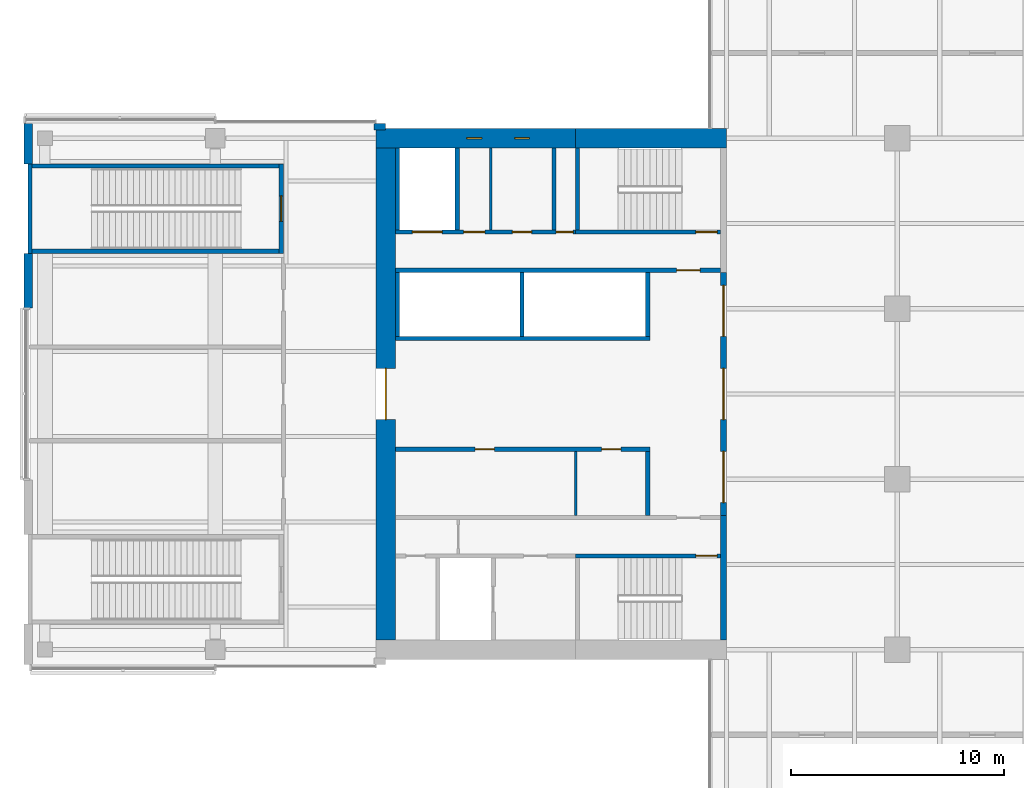
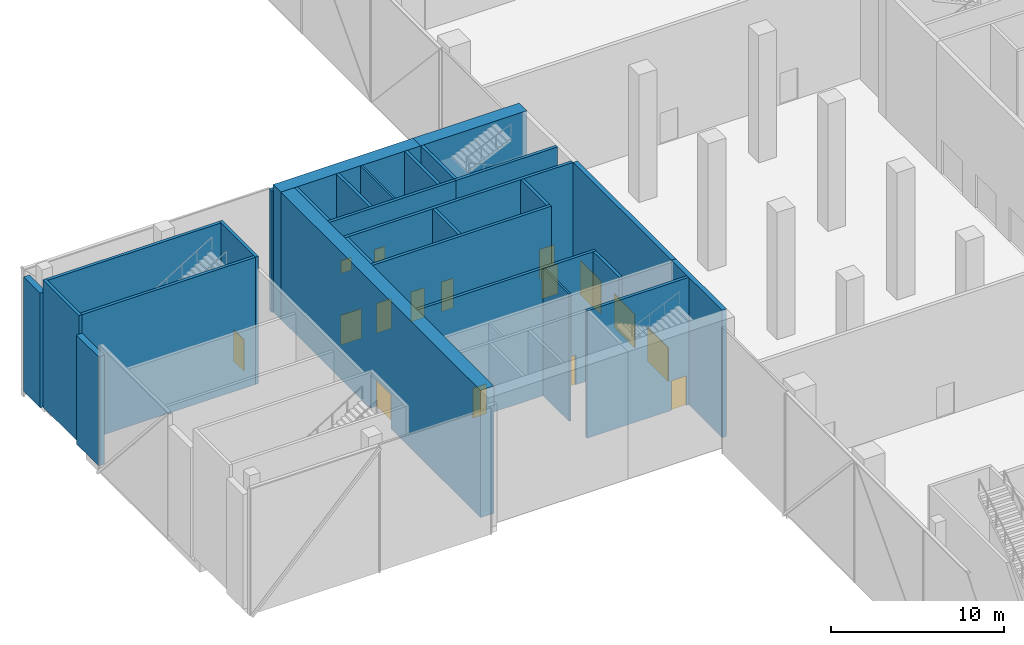
# One storey, part 15 of 26: 28 walls, 14 doors, 2 windows, 16 openings.
"""IFC4 building model written with IfcOpenShell, lengths in metres."""

from ifc_helpers import new_model, si_unit, direction, frame, frame_2d, origin, place, context, subcontext, project, spatial, rectangle, extrude, material, layer, layer_set, constituent, constituent_set, type_object, element, fill, save


model = new_model("IFC4")

# Units and contexts
model_context = context("Model", 3, precision=1e-05, world=origin(), true_north=direction((0.0, 1.0)))
body_context = subcontext(model_context, "Body", "Model", "MODEL_VIEW")
ifc_project = project(units=[si_unit("LENGTHUNIT", "METRE"), si_unit("AREAUNIT", "SQUARE_METRE"), si_unit("VOLUMEUNIT", "CUBIC_METRE"), si_unit("PLANEANGLEUNIT", "RADIAN"), si_unit("MASSUNIT", "GRAM", prefix="KILO")], contexts=[model_context])

# Site, building, storey
site_placement = place(None, origin())
site = spatial("IfcSite", under=ifc_project, at=site_placement, CompositionType="ELEMENT")
building_placement = place(site_placement, origin())
building = spatial("IfcBuilding", under=site, at=building_placement, Name="Crosswind Convention Tower", CompositionType="ELEMENT")
storey_placement = place(building_placement, frame((0.0, 0.0, 25.0)))
storey = spatial("IfcBuildingStorey", under=building, at=storey_placement, Name="L03", CompositionType="ELEMENT", Elevation=25.0)

# Wall
ifc_material_1 = material(Name="Concrete blockwork", Category="masonry")
ifc_layer_1 = layer(ifc_material_1, 0.199951171875)
ifc_layer_set_1 = layer_set([ifc_layer_1], Name="Blockwork partition wall 200")
wall_type_1 = type_object("IfcWallType", Name="Blockwork partition wall 200", PredefinedType="PARTITIONING", material=ifc_layer_set_1)
wall_1_placement = place(storey_placement, frame((104.89990234375, 111.550048828125, 0.0), z_axis=(0.0, 0.0, 1.0), x_axis=(0.0, -1.0, 0.0)))
element("IfcWall", 1, at=wall_1_placement, inside=storey, type_object=wall_type_1, Name="Wall MRSE W L03", PredefinedType="PARTITIONING", context=body_context, shape_type="SweptSolid", body=[
    extrude(rectangle(XDim=3.85009765625, YDim=0.199951171875, at=frame_2d((1.925048828125, 0.0))), origin(), (0.0, 0.0, 1.0), 9.0),
])

# Wall, opening, door
ifc_material_2 = material(Name="Concrete C60/75", Category="concrete")
ifc_layer_2 = layer(ifc_material_2, 0.89990234375)
ifc_layer_set_2 = layer_set([ifc_layer_2], Name="Concrete C60/75")
wall_type_2 = type_object("IfcWallType", Name="Concrete core wall 900", PredefinedType="SHEAR", material=ifc_layer_set_2)
wall_2_placement = place(storey_placement, frame((97.0, 111.550048828125, 0.0), z_axis=(0.0, 0.0, 1.0), x_axis=(0.0, -1.0, 0.0)))
wall_2 = element("IfcWall", 2, at=wall_2_placement, inside=storey, type_object=wall_type_2, Name="Wall O W L03", PredefinedType="SHEAR", context=body_context, shape_type="SweptSolid", body=[
    extrude(rectangle(XDim=23.10009765625, YDim=0.89990234375, at=frame_2d((11.550048828125, 0.0))), origin(), (0.0, 0.0, 1.0), 9.0),
])
opening_1_placement = place(wall_2_placement, frame((10.35009765625, 0.0, 0.0)))
opening_1 = element("IfcOpeningElement", 3, at=opening_1_placement, cuts=wall_2, Name="Opening D100", PredefinedType="OPENING", context=body_context, shape_type="SweptSolid", body=[
    extrude(rectangle(XDim=2.39990234375, YDim=2.39990234375, at=frame_2d((1.199951171875, 1.199951171875))), frame((0.0, 0.4599609375, 0.0), z_axis=(0.0, -1.0, 0.0), x_axis=(1.0, 0.0, 0.0)), (0.0, 0.0, 1.0), 0.919921875),
])
ifc_material_3 = material(Name="Steel fire door with glazed vision panels", Category="steel")
door_type_1 = type_object("IfcDoorType", Name="Fire-rated double door 2400x2400", OperationType="DOUBLE_DOOR_SINGLE_SWING", PredefinedType="DOOR", material=ifc_material_3)
door_1_placement = place(opening_1_placement, frame((2.39990234375, 0.0, 0.0), z_axis=(0.0, 0.0, 1.0), x_axis=(-1.0, 0.0, 0.0)))
door_1 = element("IfcDoor", 4, at=door_1_placement, inside=storey, type_object=door_type_1, Name="Lobby outer door L03", ObjectType="D100", OperationType="DOUBLE_DOOR_SINGLE_SWING", OverallHeight=2.39990234375, OverallWidth=2.39990234375, PredefinedType="DOOR", context=body_context, shape_type="SweptSolid", body=[
    extrude(rectangle(XDim=2.39990234375, YDim=2.39990234375, at=frame_2d((1.199951171875, 1.199951171875))), frame((0.0, 0.02490234375, 0.0), z_axis=(0.0, -1.0, 0.0), x_axis=(1.0, 0.0, 0.0)), (0.0, 0.0, 1.0), 0.050048828125),
])
fill(opening_1, door_1)

# Wall, openings, doors
ifc_material_4 = material(Name="Concrete C50/60", Category="concrete")
ifc_layer_3 = layer(ifc_material_4, 0.300048828125)
ifc_layer_set_3 = layer_set([ifc_layer_3], Name="Concrete C50/60")
wall_type_3 = type_object("IfcWallType", Name="Concrete inner core wall 300", PredefinedType="SHEAR", material=ifc_layer_set_3)
wall_3_placement = place(storey_placement, frame((112.85009765625, 105.699951171875, 0.0), z_axis=(0.0, 0.0, 1.0), x_axis=(0.0, -1.0, 0.0)))
wall_3 = element("IfcWall", 5, at=wall_3_placement, inside=storey, type_object=wall_type_3, Name="Wall SCR W L03", PredefinedType="SHEAR", context=body_context, shape_type="SweptSolid", body=[
    extrude(rectangle(XDim=11.39990234375, YDim=0.300048828125, at=frame_2d((5.699951171875, 0.0))), origin(), (0.0, 0.0, 1.0), 9.0),
])
opening_2_placement = place(wall_3_placement, frame((0.60009765625, 0.0, 0.0)))
opening_2 = element("IfcOpeningElement", 6, at=opening_2_placement, cuts=wall_3, Name="Opening D100", PredefinedType="OPENING", context=body_context, shape_type="SweptSolid", body=[
    extrude(rectangle(XDim=2.39990234375, YDim=2.39990234375, at=frame_2d((1.199951171875, 1.199951171875))), frame((0.0, 0.159912109375, 0.0), z_axis=(0.0, -1.0, 0.0), x_axis=(1.0, 0.0, 0.0)), (0.0, 0.0, 1.0), 0.320068359375),
])
opening_3_placement = place(wall_3_placement, frame((4.5, 0.0, 0.0)))
opening_3 = element("IfcOpeningElement", 7, at=opening_3_placement, cuts=wall_3, Name="Opening D100", PredefinedType="OPENING", context=body_context, shape_type="SweptSolid", body=[
    extrude(rectangle(XDim=2.39990234375, YDim=2.39990234375, at=frame_2d((1.199951171875, 1.199951171875))), frame((0.0, 0.159912109375, 0.0), z_axis=(0.0, -1.0, 0.0), x_axis=(1.0, 0.0, 0.0)), (0.0, 0.0, 1.0), 0.320068359375),
])
opening_4_placement = place(wall_3_placement, frame((8.39990234375, 0.0, 0.0)))
opening_4 = element("IfcOpeningElement", 8, at=opening_4_placement, cuts=wall_3, Name="Opening D100", PredefinedType="OPENING", context=body_context, shape_type="SweptSolid", body=[
    extrude(rectangle(XDim=2.39990234375, YDim=2.39990234375, at=frame_2d((1.199951171875, 1.199951171875))), frame((0.0, 0.159912109375, 0.0), z_axis=(0.0, -1.0, 0.0), x_axis=(1.0, 0.0, 0.0)), (0.0, 0.0, 1.0), 0.320068359375),
])
door_2_placement = place(opening_2_placement, frame((2.39990234375, 0.0, 0.0), z_axis=(0.0, 0.0, 1.0), x_axis=(-1.0, 0.0, 0.0)))
door_2 = element("IfcDoor", 9, at=door_2_placement, inside=storey, type_object=door_type_1, Name="Lobby door 1 L03", ObjectType="D100", OperationType="DOUBLE_DOOR_SINGLE_SWING", OverallHeight=2.39990234375, OverallWidth=2.39990234375, PredefinedType="DOOR", context=body_context, shape_type="SweptSolid", body=[
    extrude(rectangle(XDim=2.39990234375, YDim=2.39990234375, at=frame_2d((1.199951171875, 1.199951171875))), frame((0.0, 0.02490234375, 0.0), z_axis=(0.0, -1.0, 0.0), x_axis=(1.0, 0.0, 0.0)), (0.0, 0.0, 1.0), 0.050048828125),
])
fill(opening_2, door_2)
door_3_placement = place(opening_3_placement, frame((2.39990234375, 0.0, 0.0), z_axis=(0.0, 0.0, 1.0), x_axis=(-1.0, 0.0, 0.0)))
door_3 = element("IfcDoor", 10, at=door_3_placement, inside=storey, type_object=door_type_1, Name="Lobby door 2 L03", ObjectType="D100", OperationType="DOUBLE_DOOR_SINGLE_SWING", OverallHeight=2.39990234375, OverallWidth=2.39990234375, PredefinedType="DOOR", context=body_context, shape_type="SweptSolid", body=[
    extrude(rectangle(XDim=2.39990234375, YDim=2.39990234375, at=frame_2d((1.199951171875, 1.199951171875))), frame((0.0, 0.02490234375, 0.0), z_axis=(0.0, -1.0, 0.0), x_axis=(1.0, 0.0, 0.0)), (0.0, 0.0, 1.0), 0.050048828125),
])
fill(opening_3, door_3)
door_4_placement = place(opening_4_placement, frame((2.39990234375, 0.0, 0.0), z_axis=(0.0, 0.0, 1.0), x_axis=(-1.0, 0.0, 0.0)))
door_4 = element("IfcDoor", 11, at=door_4_placement, inside=storey, type_object=door_type_1, Name="Lobby door 3 L03", ObjectType="D100", OperationType="DOUBLE_DOOR_SINGLE_SWING", OverallHeight=2.39990234375, OverallWidth=2.39990234375, PredefinedType="DOOR", context=body_context, shape_type="SweptSolid", body=[
    extrude(rectangle(XDim=2.39990234375, YDim=2.39990234375, at=frame_2d((1.199951171875, 1.199951171875))), frame((0.0, 0.02490234375, 0.0), z_axis=(0.0, -1.0, 0.0), x_axis=(1.0, 0.0, 0.0)), (0.0, 0.0, 1.0), 0.050048828125),
])
fill(opening_4, door_4)

# Walls
wall_4_placement = place(storey_placement, frame((112.85009765625, 94.300048828125, 0.0), z_axis=(0.0, 0.0, 1.0), x_axis=(0.0, -1.0, 0.0)))
element("IfcWall", 12, at=wall_4_placement, inside=storey, type_object=wall_type_3, Name="Wall EP W L03", PredefinedType="SHEAR", context=body_context, shape_type="SweptSolid", body=[
    extrude(rectangle(XDim=5.85009765625, YDim=0.300048828125, at=frame_2d((2.925048828125, 0.0))), origin(), (0.0, 0.0, 1.0), 9.0),
])
ifc_layer_4 = layer(ifc_material_4, 0.199951171875)
ifc_layer_set_4 = layer_set([ifc_layer_4], Name="Concrete C50/60")
wall_type_4 = type_object("IfcWallType", Name="Concrete shaft and stair wall 200", PredefinedType="SHEAR", material=ifc_layer_set_4)
wall_5_placement = place(storey_placement, frame((109.300048828125, 97.300048828125, 0.0), z_axis=(0.0, 0.0, 1.0), x_axis=(0.0, -1.0, 0.0)))
element("IfcWall", 13, at=wall_5_placement, inside=storey, type_object=wall_type_4, Name="Wall RPEND W L03", PredefinedType="SHEAR", context=body_context, shape_type="SweptSolid", body=[
    extrude(rectangle(XDim=3.0, YDim=0.199951171875, at=frame_2d((1.5, 0.0))), origin(), (0.0, 0.0, 1.0), 9.0),
])

# Wall, openings, doors
wall_6_placement = place(storey_placement, frame((109.39990234375, 97.39990234375, 0.0), z_axis=(0.0, 0.0, 1.0), x_axis=(-1.0, 0.0, 0.0)))
wall_6 = element("IfcWall", 14, at=wall_6_placement, inside=storey, type_object=wall_type_4, Name="Wall RPFRONT W L03", PredefinedType="SHEAR", context=body_context, shape_type="SweptSolid", body=[
    extrude(rectangle(XDim=11.949951171875, YDim=0.199951171875, at=frame_2d((5.97509765625, 0.0))), origin(), (0.0, 0.0, 1.0), 9.0),
])
opening_5_placement = place(wall_6_placement, frame((1.36376953125, 0.0, 0.0)))
opening_5 = element("IfcOpeningElement", 15, at=opening_5_placement, cuts=wall_6, Name="Opening D106", PredefinedType="OPENING", context=body_context, shape_type="SweptSolid", body=[
    extrude(rectangle(XDim=0.89990234375, YDim=2.10009765625, at=frame_2d((0.449951171875, 1.050048828125))), frame((0.0, 0.10986328125, 0.0), z_axis=(0.0, -1.0, 0.0), x_axis=(1.0, 0.0, 0.0)), (0.0, 0.0, 1.0), 0.219970703125),
])
opening_6_placement = place(wall_6_placement, frame((7.30126953125, 0.0, 0.0)))
opening_6 = element("IfcOpeningElement", 16, at=opening_6_placement, cuts=wall_6, Name="Opening D106", PredefinedType="OPENING", context=body_context, shape_type="SweptSolid", body=[
    extrude(rectangle(XDim=0.89990234375, YDim=2.10009765625, at=frame_2d((0.449951171875, 1.050048828125))), frame((0.0, 0.10986328125, 0.0), z_axis=(0.0, -1.0, 0.0), x_axis=(1.0, 0.0, 0.0)), (0.0, 0.0, 1.0), 0.219970703125),
])
ifc_material_5 = material(Name="Timber door", Category="wood")
door_type_2 = type_object("IfcDoorType", Name="Single leaf door 900x2100", OperationType="NOTDEFINED", PredefinedType="DOOR", material=ifc_material_5)
door_5_placement = place(opening_5_placement, origin())
door_5 = element("IfcDoor", 17, at=door_5_placement, inside=storey, type_object=door_type_2, Name="Door to meeting room L03", ObjectType="D106", OperationType="SINGLE_SWING_RIGHT", OverallHeight=2.10009765625, OverallWidth=0.89990234375, PredefinedType="DOOR", context=body_context, shape_type="SweptSolid", body=[
    extrude(rectangle(XDim=0.89990234375, YDim=2.10009765625, at=frame_2d((0.449951171875, 1.050048828125))), frame((0.0, 0.02490234375, 0.0), z_axis=(0.0, -1.0, 0.0), x_axis=(1.0, 0.0, 0.0)), (0.0, 0.0, 1.0), 0.050048828125),
])
fill(opening_5, door_5)
door_6_placement = place(opening_6_placement, origin())
door_6 = element("IfcDoor", 18, at=door_6_placement, inside=storey, type_object=door_type_2, Name="Door to registration room L03", ObjectType="D106", OperationType="SINGLE_SWING_RIGHT", OverallHeight=2.10009765625, OverallWidth=0.89990234375, PredefinedType="DOOR", context=body_context, shape_type="SweptSolid", body=[
    extrude(rectangle(XDim=0.89990234375, YDim=2.10009765625, at=frame_2d((0.449951171875, 1.050048828125))), frame((0.0, 0.02490234375, 0.0), z_axis=(0.0, -1.0, 0.0), x_axis=(1.0, 0.0, 0.0)), (0.0, 0.0, 1.0), 0.050048828125),
])
fill(opening_6, door_6)

# Walls
for number, where, z_axis, x_axis, name in (
    (19, (109.300048828125, 105.699951171875, 0.0), (0.0, 0.0, 1.0), (0.0, -1.0, 0.0), "Wall RMEND W L03"),
    (20, (103.39990234375, 105.699951171875, 0.0), (0.0, 0.0, 1.0), (0.0, -1.0, 0.0), "Wall RMSEP W L03"),
    (21, (97.550048828125, 105.699951171875, 0.0), (0.0, 0.0, 1.0), (0.0, -1.0, 0.0), "Wall RMEAST W L03"),
):
    element("IfcWall", number, at=place(storey_placement, frame(where, z_axis=z_axis, x_axis=x_axis)), inside=storey, type_object=wall_type_4, Name=name, PredefinedType="SHEAR", context=body_context, shape_type="SweptSolid", body=[
        extrude(rectangle(XDim=3.0, YDim=0.199951171875, at=frame_2d((1.5, 0.0))), origin(), (0.0, 0.0, 1.0), 9.0),
    ])
wall_7_placement = place(storey_placement, frame((109.39990234375, 102.60009765625, 0.0), z_axis=(0.0, 0.0, 1.0), x_axis=(-1.0, 0.0, 0.0)))
element("IfcWall", 22, at=wall_7_placement, inside=storey, type_object=wall_type_4, Name="Wall RMFRONT W L03", PredefinedType="SHEAR", context=body_context, shape_type="SweptSolid", body=[
    extrude(rectangle(XDim=11.949951171875, YDim=0.199951171875, at=frame_2d((5.97509765625, 0.0))), origin(), (0.0, 0.0, 1.0), 9.0),
])

# Wall, opening, door
wall_8_placement = place(storey_placement, frame((112.699951171875, 92.39990234375, 0.0), z_axis=(0.0, 0.0, 1.0), x_axis=(-1.0, 0.0, 0.0)))
wall_8 = element("IfcWall", 23, at=wall_8_placement, inside=storey, type_object=wall_type_4, Name="Wall PCW W L03", PredefinedType="SHEAR", context=body_context, shape_type="SweptSolid", body=[
    extrude(rectangle(XDim=6.800048828125, YDim=0.199951171875, at=frame_2d((3.39990234375, 0.0))), origin(), (0.0, 0.0, 1.0), 9.0),
])
opening_7_placement = place(wall_8_placement, frame((0.14990234375, 0.0, 0.0)))
opening_7 = element("IfcOpeningElement", 24, at=opening_7_placement, cuts=wall_8, Name="Opening D103", PredefinedType="OPENING", context=body_context, shape_type="SweptSolid", body=[
    extrude(rectangle(XDim=1.0, YDim=2.10009765625, at=frame_2d((0.5, 1.050048828125))), frame((0.0, 0.10986328125, 0.0), z_axis=(0.0, -1.0, 0.0), x_axis=(1.0, 0.0, 0.0)), (0.0, 0.0, 1.0), 0.219970703125),
])
ifc_material_6 = material(Name="Steel fire door", Category="steel")
door_type_3 = type_object("IfcDoorType", Name="Fire-rated single door 1000x2100", OperationType="NOTDEFINED", PredefinedType="DOOR", material=ifc_material_6)
door_7_placement = place(opening_7_placement, origin())
door_7 = element("IfcDoor", 25, at=door_7_placement, inside=storey, type_object=door_type_3, Name="Stair ST3 door L03", ObjectType="D103", OperationType="SINGLE_SWING_LEFT", OverallHeight=2.10009765625, OverallWidth=1.0, PredefinedType="DOOR", context=body_context, shape_type="SweptSolid", body=[
    extrude(rectangle(XDim=1.0, YDim=2.10009765625, at=frame_2d((0.5, 1.050048828125))), frame((0.0, 0.02490234375, 0.0), z_axis=(0.0, -1.0, 0.0), x_axis=(1.0, 0.0, 0.0)), (0.0, 0.0, 1.0), 0.050048828125),
])
fill(opening_7, door_7)

wall_9_placement = place(storey_placement, frame((112.699951171875, 105.800048828125, 0.0), z_axis=(0.0, 0.0, 1.0), x_axis=(-1.0, 0.0, 0.0)))
wall_9 = element("IfcWall", 26, at=wall_9_placement, inside=storey, type_object=wall_type_4, Name="Wall HM W L03", PredefinedType="SHEAR", context=body_context, shape_type="SweptSolid", body=[
    extrude(rectangle(XDim=15.25, YDim=0.199951171875, at=frame_2d((7.625, 0.0))), origin(), (0.0, 0.0, 1.0), 9.0),
])
opening_8_placement = place(wall_9_placement, frame((0.949951171875, 0.0, 0.0)))
opening_8 = element("IfcOpeningElement", 27, at=opening_8_placement, cuts=wall_9, Name="Opening D104", PredefinedType="OPENING", context=body_context, shape_type="SweptSolid", body=[
    extrude(rectangle(XDim=1.10009765625, YDim=2.10009765625, at=frame_2d((0.550048828125, 1.050048828125))), frame((0.0, 0.10986328125, 0.0), z_axis=(0.0, -1.0, 0.0), x_axis=(1.0, 0.0, 0.0)), (0.0, 0.0, 1.0), 0.219970703125),
])
door_type_4 = type_object("IfcDoorType", Name="Fire-rated single door 1100x2100", OperationType="NOTDEFINED", PredefinedType="DOOR", material=ifc_material_6)
door_8_placement = place(opening_8_placement, frame((1.10009765625, 0.0, 0.0), z_axis=(0.0, 0.0, 1.0), x_axis=(-1.0, 0.0, 0.0)))
door_8 = element("IfcDoor", 28, at=door_8_placement, inside=storey, type_object=door_type_4, Name="Corridor door L03", ObjectType="D104", OperationType="SINGLE_SWING_RIGHT", OverallHeight=2.10009765625, OverallWidth=1.10009765625, PredefinedType="DOOR", context=body_context, shape_type="SweptSolid", body=[
    extrude(rectangle(XDim=1.10009765625, YDim=2.10009765625, at=frame_2d((0.550048828125, 1.050048828125))), frame((0.0, 0.02490234375, 0.0), z_axis=(0.0, -1.0, 0.0), x_axis=(1.0, 0.0, 0.0)), (0.0, 0.0, 1.0), 0.050048828125),
])
fill(opening_8, door_8)

# Walls
for number, where, z_axis, x_axis, name in (
    (29, (106.0, 111.550048828125, 0.0), (0.0, 0.0, 1.0), (0.0, -1.0, 0.0), "Wall MSE W L03"),
    (30, (100.35009765625, 111.550048828125, 0.0), (0.0, 0.0, 1.0), (0.0, -1.0, 0.0), "Wall MFSW W L03"),
    (31, (97.550048828125, 111.550048828125, 0.0), (0.0, 0.0, 1.0), (0.0, -1.0, 0.0), "Wall MFSE W L03"),
):
    element("IfcWall", number, at=place(storey_placement, frame(where, z_axis=z_axis, x_axis=x_axis)), inside=storey, type_object=wall_type_4, Name=name, PredefinedType="SHEAR", context=body_context, shape_type="SweptSolid", body=[
        extrude(rectangle(XDim=3.85009765625, YDim=0.199951171875, at=frame_2d((1.925048828125, 0.0))), origin(), (0.0, 0.0, 1.0), 9.0),
    ])

# Wall, opening, door
wall_10_placement = place(storey_placement, frame((112.699951171875, 107.60009765625, 0.0), z_axis=(0.0, 0.0, 1.0), x_axis=(-1.0, 0.0, 0.0)))
wall_10 = element("IfcWall", 32, at=wall_10_placement, inside=storey, type_object=wall_type_4, Name="Wall MCW W L03", PredefinedType="SHEAR", context=body_context, shape_type="SweptSolid", body=[
    extrude(rectangle(XDim=6.800048828125, YDim=0.199951171875, at=frame_2d((3.39990234375, 0.0))), origin(), (0.0, 0.0, 1.0), 9.0),
])
opening_9_placement = place(wall_10_placement, frame((0.14990234375, 0.0, 0.0)))
opening_9 = element("IfcOpeningElement", 33, at=opening_9_placement, cuts=wall_10, Name="Opening D103", PredefinedType="OPENING", context=body_context, shape_type="SweptSolid", body=[
    extrude(rectangle(XDim=1.0, YDim=2.10009765625, at=frame_2d((0.5, 1.050048828125))), frame((0.0, 0.10986328125, 0.0), z_axis=(0.0, -1.0, 0.0), x_axis=(1.0, 0.0, 0.0)), (0.0, 0.0, 1.0), 0.219970703125),
])
door_9_placement = place(opening_9_placement, frame((1.0, 0.0, 0.0), z_axis=(0.0, 0.0, 1.0), x_axis=(-1.0, 0.0, 0.0)))
door_9 = element("IfcDoor", 34, at=door_9_placement, inside=storey, type_object=door_type_3, Name="Stair ST4 door L03", ObjectType="D103", OperationType="SINGLE_SWING_RIGHT", OverallHeight=2.10009765625, OverallWidth=1.0, PredefinedType="DOOR", context=body_context, shape_type="SweptSolid", body=[
    extrude(rectangle(XDim=1.0, YDim=2.10009765625, at=frame_2d((0.5, 1.050048828125))), frame((0.0, 0.02490234375, 0.0), z_axis=(0.0, -1.0, 0.0), x_axis=(1.0, 0.0, 0.0)), (0.0, 0.0, 1.0), 0.050048828125),
])
fill(opening_9, door_9)

# Wall, openings, doors
wall_11_placement = place(storey_placement, frame((105.89990234375, 107.60009765625, 0.0), z_axis=(0.0, 0.0, 1.0), x_axis=(-1.0, 0.0, 0.0)))
wall_11 = element("IfcWall", 35, at=wall_11_placement, inside=storey, type_object=wall_type_4, Name="Wall MCX W L03", PredefinedType="SHEAR", context=body_context, shape_type="SweptSolid", body=[
    extrude(rectangle(XDim=8.449951171875, YDim=0.199951171875, at=frame_2d((4.22509765625, 0.0))), origin(), (0.0, 0.0, 1.0), 9.0),
])
opening_10_placement = place(wall_11_placement, frame((0.10009765625, 0.0, 0.0)))
opening_10 = element("IfcOpeningElement", 36, at=opening_10_placement, cuts=wall_11, Name="Opening D105", PredefinedType="OPENING", context=body_context, shape_type="SweptSolid", body=[
    extrude(rectangle(XDim=0.800048828125, YDim=2.10009765625, at=frame_2d((0.39990234375, 1.050048828125))), frame((0.0, 0.10986328125, 0.0), z_axis=(0.0, -1.0, 0.0), x_axis=(1.0, 0.0, 0.0)), (0.0, 0.0, 1.0), 0.219970703125),
])
opening_11_placement = place(wall_11_placement, frame((2.05419921875, 0.0, 0.0)))
opening_11 = element("IfcOpeningElement", 37, at=opening_11_placement, cuts=wall_11, Name="Opening D106", PredefinedType="OPENING", context=body_context, shape_type="SweptSolid", body=[
    extrude(rectangle(XDim=0.89990234375, YDim=2.10009765625, at=frame_2d((0.449951171875, 1.050048828125))), frame((0.0, 0.10986328125, 0.0), z_axis=(0.0, -1.0, 0.0), x_axis=(1.0, 0.0, 0.0)), (0.0, 0.0, 1.0), 0.219970703125),
])
opening_12_placement = place(wall_11_placement, frame((4.24169921875, 0.0, 0.0)))
opening_12 = element("IfcOpeningElement", 38, at=opening_12_placement, cuts=wall_11, Name="Opening D103", PredefinedType="OPENING", context=body_context, shape_type="SweptSolid", body=[
    extrude(rectangle(XDim=1.0, YDim=2.10009765625, at=frame_2d((0.5, 1.050048828125))), frame((0.0, 0.10986328125, 0.0), z_axis=(0.0, -1.0, 0.0), x_axis=(1.0, 0.0, 0.0)), (0.0, 0.0, 1.0), 0.219970703125),
])
opening_13_placement = place(wall_11_placement, frame((6.25, 0.0, 0.0)))
opening_13 = element("IfcOpeningElement", 39, at=opening_13_placement, cuts=wall_11, Name="Opening LD2", PredefinedType="OPENING", context=body_context, shape_type="SweptSolid", body=[
    extrude(rectangle(XDim=1.39990234375, YDim=2.10009765625, at=frame_2d((0.699951171875, 1.050048828125))), frame((0.0, 0.10986328125, 0.0), z_axis=(0.0, -1.0, 0.0), x_axis=(1.0, 0.0, 0.0)), (0.0, 0.0, 1.0), 0.219970703125),
])
door_10_placement = place(opening_12_placement, frame((1.0, 0.0, 0.0), z_axis=(0.0, 0.0, 1.0), x_axis=(-1.0, 0.0, 0.0)))
door_10 = element("IfcDoor", 40, at=door_10_placement, inside=storey, type_object=door_type_3, Name="Door to accessible wc L03", ObjectType="D103", OperationType="SINGLE_SWING_LEFT", OverallHeight=2.10009765625, OverallWidth=1.0, PredefinedType="DOOR", context=body_context, shape_type="SweptSolid", body=[
    extrude(rectangle(XDim=1.0, YDim=2.10009765625, at=frame_2d((0.5, 1.050048828125))), frame((0.0, 0.02490234375, 0.0), z_axis=(0.0, -1.0, 0.0), x_axis=(1.0, 0.0, 0.0)), (0.0, 0.0, 1.0), 0.050048828125),
])
fill(opening_12, door_10)
ifc_material_7 = material(Name="Stainless steel", Category="steel")
door_type_5 = type_object("IfcDoorType", Name="Lift landing door 1400x2100", OperationType="DOUBLE_DOOR_SLIDING", PredefinedType="DOOR", material=ifc_material_7)
door_11_placement = place(opening_13_placement, origin())
door_11 = element("IfcDoor", 41, at=door_11_placement, inside=storey, type_object=door_type_5, Name="Landing door SV2 L03", ObjectType="LD2", OperationType="DOUBLE_DOOR_SLIDING", OverallHeight=2.10009765625, OverallWidth=1.39990234375, PredefinedType="DOOR", context=body_context, shape_type="SweptSolid", body=[
    extrude(rectangle(XDim=1.39990234375, YDim=2.10009765625, at=frame_2d((0.699951171875, 1.050048828125))), frame((0.0, 0.02490234375, 0.0), z_axis=(0.0, -1.0, 0.0), x_axis=(1.0, 0.0, 0.0)), (0.0, 0.0, 1.0), 0.050048828125),
])
fill(opening_13, door_11)
door_type_6 = type_object("IfcDoorType", Name="Riser access door 800x2100", OperationType="NOTDEFINED", PredefinedType="DOOR", material=ifc_material_6)
door_12_placement = place(opening_10_placement, frame((0.800048828125, 0.0, 0.0), z_axis=(0.0, 0.0, 1.0), x_axis=(-1.0, 0.0, 0.0)))
door_12 = element("IfcDoor", 42, at=door_12_placement, inside=storey, type_object=door_type_6, Name="Riser door L03", ObjectType="D105", OperationType="SINGLE_SWING_LEFT", OverallHeight=2.10009765625, OverallWidth=0.800048828125, PredefinedType="DOOR", context=body_context, shape_type="SweptSolid", body=[
    extrude(rectangle(XDim=0.800048828125, YDim=2.10009765625, at=frame_2d((0.39990234375, 1.050048828125))), frame((0.0, 0.02490234375, 0.0), z_axis=(0.0, -1.0, 0.0), x_axis=(1.0, 0.0, 0.0)), (0.0, 0.0, 1.0), 0.050048828125),
])
fill(opening_10, door_12)
door_13_placement = place(opening_11_placement, frame((0.89990234375, 0.0, 0.0), z_axis=(0.0, 0.0, 1.0), x_axis=(-1.0, 0.0, 0.0)))
door_13 = element("IfcDoor", 43, at=door_13_placement, inside=storey, type_object=door_type_2, Name="Door to wc L03", ObjectType="D106", OperationType="SINGLE_SWING_LEFT", OverallHeight=2.10009765625, OverallWidth=0.89990234375, PredefinedType="DOOR", context=body_context, shape_type="SweptSolid", body=[
    extrude(rectangle(XDim=0.89990234375, YDim=2.10009765625, at=frame_2d((0.449951171875, 1.050048828125))), frame((0.0, 0.02490234375, 0.0), z_axis=(0.0, -1.0, 0.0), x_axis=(1.0, 0.0, 0.0)), (0.0, 0.0, 1.0), 0.050048828125),
])
fill(opening_11, door_13)

# Walls
ifc_material_8 = material(Name="Gypsum plasterboard partition", Category="gypsum")
ifc_layer_5 = layer(ifc_material_8, 0.125)
ifc_layer_set_5 = layer_set([ifc_layer_5], Name="Drywall partition wall 125")
wall_type_5 = type_object("IfcWallType", Name="Drywall partition wall 125", PredefinedType="PARTITIONING", material=ifc_layer_set_5)
wall_12_placement = place(storey_placement, frame((105.909912109375, 97.300048828125, 0.0), z_axis=(0.0, 0.0, 1.0), x_axis=(0.0, -1.0, 0.0)))
element("IfcWall", 44, at=wall_12_placement, inside=storey, type_object=wall_type_5, Name="Wall RPP1 W L03", PredefinedType="PARTITIONING", context=body_context, shape_type="SweptSolid", body=[
    extrude(rectangle(XDim=3.0, YDim=0.125, at=frame_2d((1.5, 0.0))), origin(), (0.0, 0.0, 1.0), 9.0),
])
wall_13_placement = place(storey_placement, frame((101.928955078125, 111.550048828125, 0.0), z_axis=(0.0, 0.0, 1.0), x_axis=(0.0, -1.0, 0.0)))
element("IfcWall", 45, at=wall_13_placement, inside=storey, type_object=wall_type_5, Name="Wall MWP1 W L03", PredefinedType="PARTITIONING", context=body_context, shape_type="SweptSolid", body=[
    extrude(rectangle(XDim=3.85009765625, YDim=0.125, at=frame_2d((1.925048828125, 0.0))), origin(), (0.0, 0.0, 1.0), 9.0),
])
ifc_material_9 = material(Name="Concrete C40/50", Category="concrete")
ifc_layer_6 = layer(ifc_material_9, 0.199951171875)
ifc_layer_set_6 = layer_set([ifc_layer_6], Name="Concrete C40/50")
wall_type_6 = type_object("IfcWallType", Name="STAIR ENCLOSURE WALL 200", PredefinedType="SOLIDWALL", material=ifc_layer_set_6)
for number, where, z_axis, x_axis, name in (
    (46, (80.39990234375, 106.699951171875, 0.0), (0.0, 0.0, 1.0), (1.0, 0.0, 0.0), "Stair Enclosure Wall 13"),
    (47, (80.39990234375, 110.699951171875, 0.0), (0.0, 0.0, 1.0), (1.0, 0.0, 0.0), "Stair Enclosure Wall 15"),
):
    element("IfcWall", number, at=place(storey_placement, frame(where, z_axis=z_axis, x_axis=x_axis)), inside=storey, type_object=wall_type_6, Name=name, PredefinedType="SOLIDWALL", context=body_context, shape_type="SweptSolid", body=[
        extrude(rectangle(XDim=11.60009765625, YDim=0.199951171875, at=frame_2d((5.800048828125, 0.0))), origin(), (0.0, 0.0, 1.0), 9.0),
    ])
wall_14_placement = place(storey_placement, frame((80.300048828125, 106.60009765625, 0.0), z_axis=(0.0, 0.0, 1.0), x_axis=(0.0, 1.0, 0.0)))
element("IfcWall", 48, at=wall_14_placement, inside=storey, type_object=wall_type_6, Name="Stair Enclosure Wall 24", PredefinedType="SOLIDWALL", context=body_context, shape_type="SweptSolid", body=[
    extrude(rectangle(XDim=4.199951171875, YDim=0.199951171875, at=frame_2d((2.10009765625, 0.0))), origin(), (0.0, 0.0, 1.0), 9.0),
])

# Wall, opening, door
wall_15_placement = place(storey_placement, frame((92.10009765625, 106.60009765625, 0.0), z_axis=(0.0, 0.0, 1.0), x_axis=(0.0, 1.0, 0.0)))
wall_15 = element("IfcWall", 49, at=wall_15_placement, inside=storey, type_object=wall_type_6, Name="Stair Enclosure Wall 26", PredefinedType="SOLIDWALL", context=body_context, shape_type="SweptSolid", body=[
    extrude(rectangle(XDim=4.199951171875, YDim=0.199951171875, at=frame_2d((2.10009765625, 0.0))), origin(), (0.0, 0.0, 1.0), 9.0),
])
opening_14_placement = place(wall_15_placement, frame((1.5, 0.0, 0.0)))
opening_14 = element("IfcOpeningElement", 50, at=opening_14_placement, cuts=wall_15, Name="Opening 03.020", PredefinedType="OPENING", context=body_context, shape_type="SweptSolid", body=[
    extrude(rectangle(XDim=1.199951171875, YDim=2.199951171875, at=frame_2d((0.60009765625, 1.10009765625))), frame((0.0, 0.10986328125, 0.0), z_axis=(0.0, -1.0, 0.0), x_axis=(1.0, 0.0, 0.0)), (0.0, 0.0, 1.0), 0.219970703125),
])
door_type_7 = type_object("IfcDoorType", Name="STAIR DOOR 1200X2200", OperationType="NOTDEFINED", PredefinedType="DOOR", material=ifc_material_6)
door_14_placement = place(opening_14_placement, origin())
door_14 = element("IfcDoor", 51, at=door_14_placement, inside=storey, type_object=door_type_7, Name="Door 03.020", ObjectType="D4", OperationType="SINGLE_SWING_RIGHT", OverallHeight=2.199951171875, OverallWidth=1.199951171875, PredefinedType="DOOR", context=body_context, shape_type="SweptSolid", body=[
    extrude(rectangle(XDim=1.199951171875, YDim=2.199951171875, at=frame_2d((0.60009765625, 1.10009765625))), frame((0.0, 0.02490234375, 0.0), z_axis=(0.0, -1.0, 0.0), x_axis=(1.0, 0.0, 0.0)), (0.0, 0.0, 1.0), 0.050048828125),
])
fill(opening_14, door_14)

# Walls
ifc_material_10 = material(Name="Terracotta rainscreen", Category="ceramic")
ifc_layer_7 = layer(ifc_material_10, 0.02001953125)
ifc_material_11 = material(Name="Mineral wool insulation", Category="insulation")
ifc_layer_8 = layer(ifc_material_11, 0.10009765625)
ifc_layer_9 = layer(ifc_material_1, 0.18603515625)
ifc_layer_set_7 = layer_set([ifc_layer_7, ifc_layer_8, ifc_layer_9], Name="TERRACOTTA CORNER INFILL WALL 306")
wall_type_7 = type_object("IfcWallType", Name="TERRACOTTA CORNER INFILL WALL 306", PredefinedType="SOLIDWALL", material=ifc_layer_set_7)
wall_16_placement = place(storey_placement, frame((96.445068359375, 112.547119140625, 0.0), z_axis=(0.0, 0.0, 1.0), x_axis=(1.0, 0.0, 0.0)))
element("IfcWall", 52, at=wall_16_placement, inside=storey, type_object=wall_type_7, Name="Core corner infill wall L03 2", PredefinedType="SOLIDWALL", context=body_context, shape_type="SweptSolid", body=[
    extrude(rectangle(XDim=0.554931640625, YDim=0.305908203125, at=frame_2d((0.27734375, 0.0))), origin(), (0.0, 0.0, 1.0), 8.60009765625),
])
ifc_layer_10 = layer(ifc_material_10, 0.02001953125)
ifc_layer_11 = layer(ifc_material_11, 0.10009765625)
ifc_layer_12 = layer(ifc_material_1, 0.280029296875)
ifc_layer_set_8 = layer_set([ifc_layer_10, ifc_layer_11, ifc_layer_12], Name="TERRACOTTA INFILL WALL 400")
wall_type_8 = type_object("IfcWallType", Name="TERRACOTTA INFILL WALL 400", PredefinedType="SOLIDWALL", material=ifc_layer_set_8)
wall_17_placement = place(storey_placement, frame((80.215087890625, 112.699951171875, 0.0), z_axis=(0.0, 0.0, 1.0), x_axis=(0.0, -1.0, 0.0)))
element("IfcWall", 53, at=wall_17_placement, inside=storey, type_object=wall_type_8, Name="Stair enclosure side wall L03 W-TIP.1-1.1", PredefinedType="SOLIDWALL", context=body_context, shape_type="SweptSolid", body=[
    extrude(rectangle(XDim=1.89990234375, YDim=0.39990234375, at=frame_2d((0.949951171875, 0.0))), origin(), (0.0, 0.0, 1.0), 8.10009765625),
])
wall_18_placement = place(storey_placement, frame((80.215087890625, 106.60009765625, 0.0), z_axis=(0.0, 0.0, 1.0), x_axis=(0.0, -1.0, 0.0)))
element("IfcWall", 54, at=wall_18_placement, inside=storey, type_object=wall_type_8, Name="Stair enclosure side wall L03 W-TIP.1-1.2", PredefinedType="SOLIDWALL", context=body_context, shape_type="SweptSolid", body=[
    extrude(rectangle(XDim=2.56005859375, YDim=0.39990234375, at=frame_2d((1.280029296875, 0.0))), origin(), (0.0, 0.0, 1.0), 7.699951171875),
])
ifc_constituent_1 = constituent(ifc_material_2, Name="Structure")
ifc_constituent_2 = constituent(ifc_material_10, Name="Facing")
ifc_constituent_set = constituent_set(constituents=[ifc_constituent_1, ifc_constituent_2], Name="Concrete C60/75, Terracotta rainscreen")
wall_type_9 = type_object("IfcWallType", Name="Terracotta rainscreen on concrete core wall 900", PredefinedType="SHEAR", material=ifc_constituent_set)
wall_19_placement = place(storey_placement, frame((113.0, 112.0, 0.0), z_axis=(0.0, 0.0, 1.0), x_axis=(-1.0, 0.0, 0.0)))
element("IfcWall", 55, at=wall_19_placement, inside=storey, type_object=wall_type_9, Name="Wall S1 W L03", PredefinedType="SHEAR", context=body_context, shape_type="SweptSolid", body=[
    extrude(rectangle(XDim=7.10009765625, YDim=0.89990234375, at=frame_2d((3.550048828125, 0.0))), origin(), (0.0, 0.0, 1.0), 9.0),
])

# Wall, openings, windows
wall_20_placement = place(storey_placement, frame((105.89990234375, 112.0, 0.0), z_axis=(0.0, 0.0, 1.0), x_axis=(-1.0, 0.0, 0.0)))
wall_20 = element("IfcWall", 56, at=wall_20_placement, inside=storey, type_object=wall_type_9, Name="Wall S2 W L03", PredefinedType="SHEAR", context=body_context, shape_type="SweptSolid", body=[
    extrude(rectangle(XDim=9.349853515625, YDim=0.89990234375, at=frame_2d((4.6748046875, 0.0))), origin(), (0.0, 0.0, 1.0), 9.0),
])
opening_15_placement = place(wall_20_placement, frame((2.154296875, 0.0, 1.5)))
opening_15 = element("IfcOpeningElement", 57, at=opening_15_placement, cuts=wall_20, Name="Opening W2", PredefinedType="OPENING", context=body_context, shape_type="SweptSolid", body=[
    extrude(rectangle(XDim=0.699951171875, YDim=0.89990234375, at=frame_2d((0.35009765625, 0.449951171875))), frame((0.0, 0.4599609375, 0.0), z_axis=(0.0, -1.0, 0.0), x_axis=(1.0, 0.0, 0.0)), (0.0, 0.0, 1.0), 0.919921875),
])
opening_16_placement = place(wall_20_placement, frame((4.391845703125, 0.0, 1.5)))
opening_16 = element("IfcOpeningElement", 58, at=opening_16_placement, cuts=wall_20, Name="Opening W2", PredefinedType="OPENING", context=body_context, shape_type="SweptSolid", body=[
    extrude(rectangle(XDim=0.699951171875, YDim=0.89990234375, at=frame_2d((0.35009765625, 0.449951171875))), frame((0.0, 0.4599609375, 0.0), z_axis=(0.0, -1.0, 0.0), x_axis=(1.0, 0.0, 0.0)), (0.0, 0.0, 1.0), 0.919921875),
])
ifc_material_12 = material(Name="Obscure glass in aluminium frame", Category="aluminium")
window_type = type_object("IfcWindowType", Name="WC window 700x900", PartitioningType="SINGLE_PANEL", PredefinedType="WINDOW", material=ifc_material_12)
window_1_placement = place(opening_15_placement, origin())
window_1 = element("IfcWindow", 59, at=window_1_placement, inside=storey, type_object=window_type, Name="WC window L03", ObjectType="W2", OverallHeight=0.89990234375, OverallWidth=0.699951171875, PartitioningType="SINGLE_PANEL", PredefinedType="WINDOW", context=body_context, shape_type="SweptSolid", body=[
    extrude(rectangle(XDim=0.699951171875, YDim=0.89990234375, at=frame_2d((0.35009765625, 0.449951171875))), frame((0.0, 0.030029296875, 0.0), z_axis=(0.0, -1.0, 0.0), x_axis=(1.0, 0.0, 0.0)), (0.0, 0.0, 1.0), 0.06005859375),
])
fill(opening_15, window_1)
window_2_placement = place(opening_16_placement, origin())
window_2 = element("IfcWindow", 60, at=window_2_placement, inside=storey, type_object=window_type, Name="WC window L03", ObjectType="W2", OverallHeight=0.89990234375, OverallWidth=0.699951171875, PartitioningType="SINGLE_PANEL", PredefinedType="WINDOW", context=body_context, shape_type="SweptSolid", body=[
    extrude(rectangle(XDim=0.699951171875, YDim=0.89990234375, at=frame_2d((0.35009765625, 0.449951171875))), frame((0.0, 0.030029296875, 0.0), z_axis=(0.0, -1.0, 0.0), x_axis=(1.0, 0.0, 0.0)), (0.0, 0.0, 1.0), 0.06005859375),
])
fill(opening_16, window_2)

save(model, "model.ifc")
